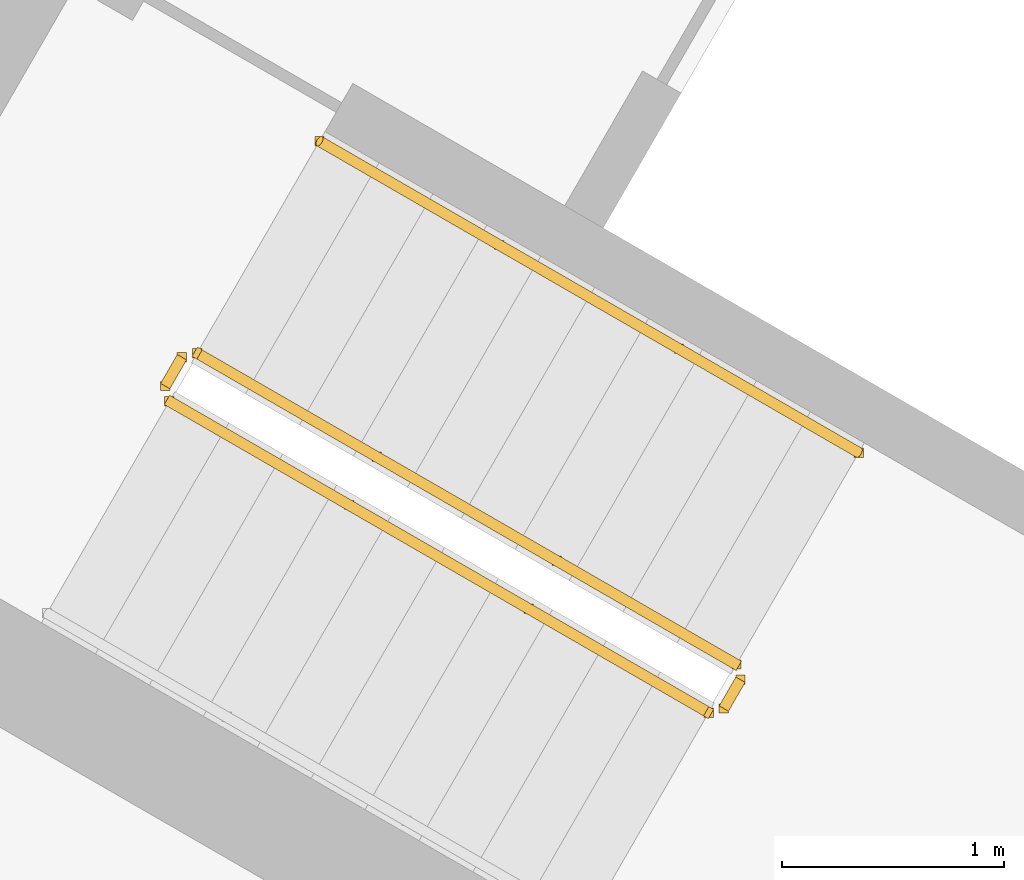
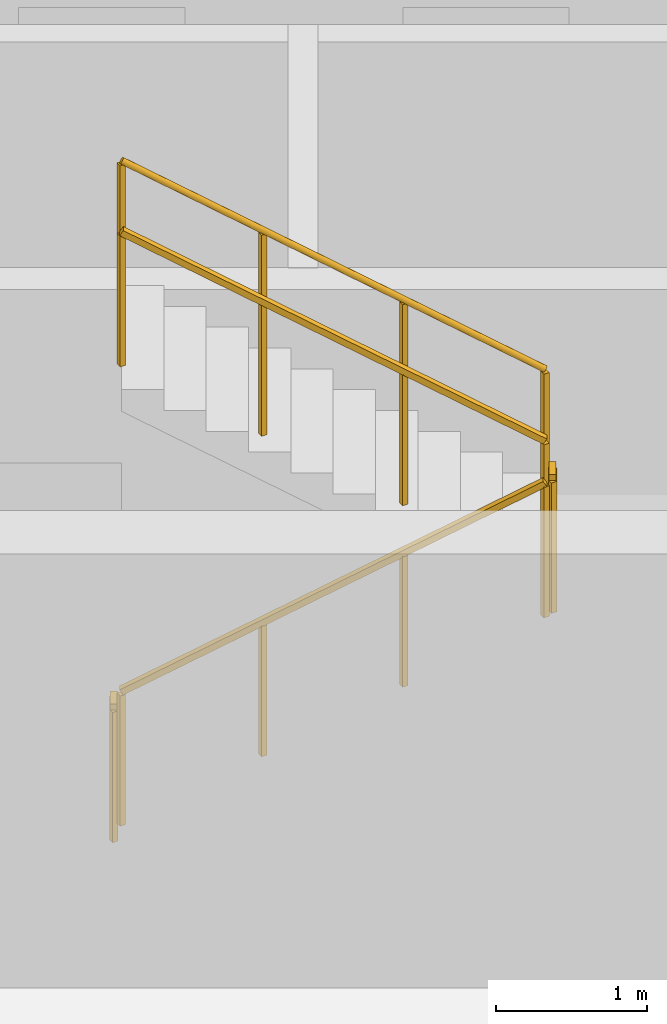
# One storey, part 15 of 17: 5 railings.
"""IFC4 building model written with IfcOpenShell, lengths in metres."""

from ifc_helpers import new_model, si_unit, direction, frame, origin, origin_2d, place, context, subcontext, project, spatial, rectangle, circle, extrude, material, type_object, element, save


model = new_model("IFC4")

# Units and contexts
model_context = context("Model", 3, precision=1e-05, world=origin(), true_north=direction((0.0, 1.0)))
body_context = subcontext(model_context, "Body", "Model", "MODEL_VIEW")
ifc_project = project(units=[si_unit("LENGTHUNIT", "METRE"), si_unit("AREAUNIT", "SQUARE_METRE"), si_unit("VOLUMEUNIT", "CUBIC_METRE"), si_unit("PLANEANGLEUNIT", "RADIAN"), si_unit("MASSUNIT", "GRAM", prefix="KILO")], contexts=[model_context])

# Site, building, storey
site_placement = place(None, origin())
site = spatial("IfcSite", under=ifc_project, at=site_placement, CompositionType="ELEMENT")
building_placement = place(site_placement, origin())
building = spatial("IfcBuilding", under=site, at=building_placement, Name="Apuvela Tower Hotel", CompositionType="ELEMENT")
storey_placement = place(building_placement, frame((0.0, 0.0, 46.5)))
storey = spatial("IfcBuildingStorey", under=building, at=storey_placement, Name="L08", CompositionType="ELEMENT", Elevation=46.5)

# Railings
ifc_material_1 = material(Name="Steel S275 balustrade", Category="steel")
railing_type_1 = type_object("IfcRailingType", Name="COR-GUARD-1100", PredefinedType="GUARDRAIL", material=ifc_material_1)
railing_1_placement = place(storey_placement, frame((10.718994140625, -10.63427734375, 0.168212890625)))
element("IfcRailing", 1, at=railing_1_placement, inside=storey, type_object=railing_type_1, Name="L08 ST3 stair guard 1", PredefinedType="GUARDRAIL", context=body_context, shape_type="SweptSolid", body=[
    extrude(rectangle(XDim=0.048095703125, YDim=0.048095703125, at=origin_2d()), frame((0.0, 0.0, 1.076171875), z_axis=(0.742390482028, -0.42860119049, 0.514934356695), x_axis=(0.49998411664, 0.866034573852, 0.0)), (0.0, 0.0, 1.0), 3.26611328125),
    extrude(rectangle(XDim=0.0419921875, YDim=0.0419921875, at=origin_2d()), origin(), (0.0, 0.0, 1.0), 1.052001953125),
    extrude(rectangle(XDim=0.0419921875, YDim=0.0419921875, at=origin_2d()), frame((0.808349609375, -0.466552734375, 0.560546875)), (0.0, 0.0, 1.0), 1.052001953125),
    extrude(rectangle(XDim=0.0419921875, YDim=0.0419921875, at=origin_2d()), frame((1.616455078125, -0.933349609375, 1.121337890625)), (0.0, 0.0, 1.0), 1.052001953125),
    extrude(rectangle(XDim=0.0419921875, YDim=0.0419921875, at=origin_2d()), frame((2.4248046875, -1.39990234375, 1.681884765625)), (0.0, 0.0, 1.0), 1.052001953125),
])
railing_2_placement = place(storey_placement, frame((13.212158203125, -12.015869140625, 1.85009765625)))
element("IfcRailing", 2, at=railing_2_placement, inside=storey, type_object=railing_type_1, Name="L08 ST3 stair guard 2", PredefinedType="GUARDRAIL", context=body_context, shape_type="SweptSolid", body=[
    extrude(rectangle(XDim=0.048095703125, YDim=0.048095703125, at=origin_2d()), frame((0.0, 0.0, 1.076171875), z_axis=(0.499816412211, 0.866131372301, 0.0), x_axis=(-0.866131372301, 0.499816412211, 0.0)), (0.0, 0.0, 1.0), 0.14990234375),
    extrude(rectangle(XDim=0.0419921875, YDim=0.0419921875, at=origin_2d()), origin(), (0.0, 0.0, 1.0), 1.052001953125),
    extrude(rectangle(XDim=0.0419921875, YDim=0.0419921875, at=origin_2d()), frame((0.074951171875, 0.1298828125, 0.0)), (0.0, 0.0, 1.0), 1.052001953125),
])
railing_3_placement = place(storey_placement, frame((13.268798828125, -11.817626953125, 2.01806640625)))
element("IfcRailing", 3, at=railing_3_placement, inside=storey, type_object=railing_type_1, Name="L08 ST3 stair guard 3", PredefinedType="GUARDRAIL", context=body_context, shape_type="SweptSolid", body=[
    extrude(rectangle(XDim=0.048095703125, YDim=0.048095703125, at=origin_2d()), frame((0.0, 0.0, 1.076171875), z_axis=(-0.742390482028, 0.42860119049, 0.514934356695), x_axis=(-0.49998411664, -0.866034573852, 0.0)), (0.0, 0.0, 1.0), 3.26611328125),
    extrude(rectangle(XDim=0.0419921875, YDim=0.0419921875, at=origin_2d()), origin(), (0.0, 0.0, 1.0), 1.052001953125),
    extrude(rectangle(XDim=0.0419921875, YDim=0.0419921875, at=origin_2d()), frame((-0.808349609375, 0.466552734375, 0.560546875)), (0.0, 0.0, 1.0), 1.052001953125),
    extrude(rectangle(XDim=0.0419921875, YDim=0.0419921875, at=origin_2d()), frame((-1.616455078125, 0.933349609375, 1.121337890625)), (0.0, 0.0, 1.0), 1.052001953125),
    extrude(rectangle(XDim=0.0419921875, YDim=0.0419921875, at=origin_2d()), frame((-2.4248046875, 1.39990234375, 1.681884765625)), (0.0, 0.0, 1.0), 1.052001953125),
])
railing_4_placement = place(storey_placement, frame((10.70068359375, -10.56591796875, 0.0)))
element("IfcRailing", 4, at=railing_4_placement, inside=storey, type_object=railing_type_1, Name="L08 ST3 stair guard 4", PredefinedType="GUARDRAIL", context=body_context, shape_type="SweptSolid", body=[
    extrude(rectangle(XDim=0.048095703125, YDim=0.048095703125, at=origin_2d()), frame((0.0, 0.0, 1.076171875), z_axis=(0.499816412211, 0.866131372301, 0.0), x_axis=(-0.866131372301, 0.499816412211, 0.0)), (0.0, 0.0, 1.0), 0.14990234375),
    extrude(rectangle(XDim=0.0419921875, YDim=0.0419921875, at=origin_2d()), origin(), (0.0, 0.0, 1.0), 1.052001953125),
    extrude(rectangle(XDim=0.0419921875, YDim=0.0419921875, at=origin_2d()), frame((0.074951171875, 0.1298828125, 0.0)), (0.0, 0.0, 1.0), 1.052001953125),
])
ifc_material_2 = material(Name="Stainless steel 316 handrail", Category="steel")
railing_type_2 = type_object("IfcRailingType", Name="COR-HANDRAIL-900", PredefinedType="HANDRAIL", material=ifc_material_2)
railing_5_placement = place(storey_placement, frame((13.81884765625, -10.864990234375, 2.01806640625)))
element("IfcRailing", 5, at=railing_5_placement, inside=storey, type_object=railing_type_2, Name="L08 ST3 stair handrail 2", PredefinedType="HANDRAIL", context=body_context, shape_type="SweptSolid", body=[
    extrude(circle(Radius=0.02392578125, at=origin_2d()), frame((0.0, 0.0, 0.8759765625), z_axis=(-0.742390482028, 0.42860119049, 0.514934356695), x_axis=(-0.49998411664, -0.866034573852, 0.0)), (0.0, 0.0, 1.0), 3.26611328125),
    extrude(rectangle(XDim=0.0419921875, YDim=0.0419921875, at=origin_2d()), origin(), (0.0, 0.0, 1.0), 0.851806640625),
    extrude(rectangle(XDim=0.0419921875, YDim=0.0419921875, at=origin_2d()), frame((-0.808349609375, 0.466552734375, 0.560546875)), (0.0, 0.0, 1.0), 0.851806640625),
    extrude(rectangle(XDim=0.0419921875, YDim=0.0419921875, at=origin_2d()), frame((-1.616455078125, 0.933349609375, 1.121337890625)), (0.0, 0.0, 1.0), 0.851806640625),
    extrude(rectangle(XDim=0.0419921875, YDim=0.0419921875, at=origin_2d()), frame((-2.4248046875, 1.39990234375, 1.681884765625)), (0.0, 0.0, 1.0), 0.851806640625),
])

save(model, "model.ifc")
